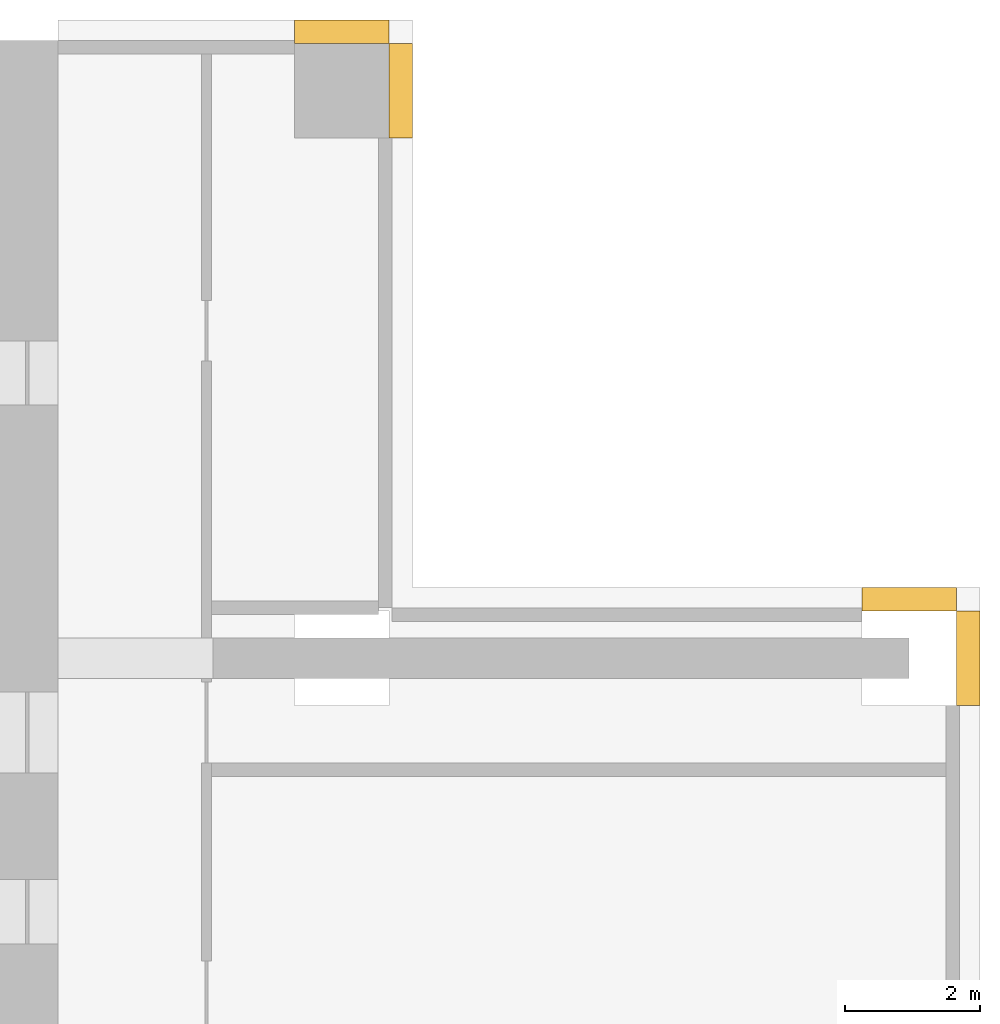
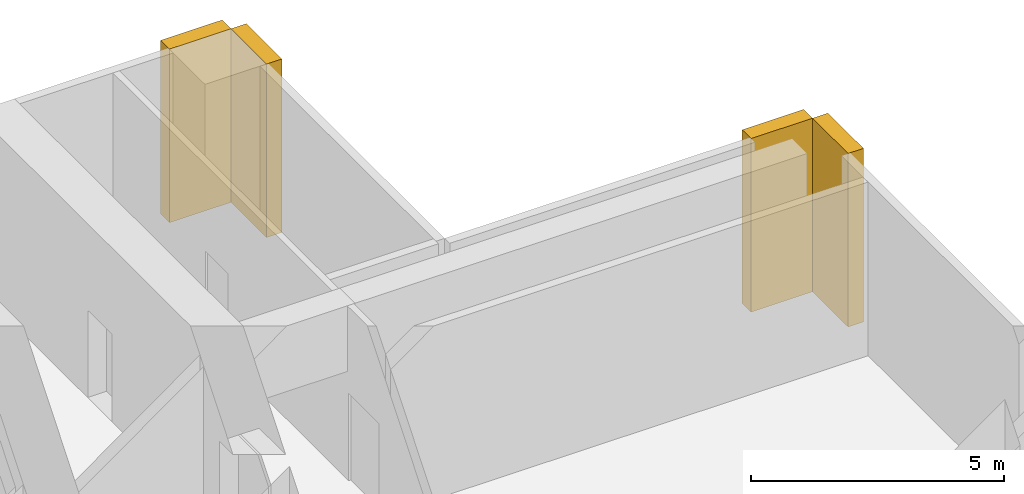
# One storey, part 11 of 11: 4 coverings.
"""IFC4 building model written with IfcOpenShell, lengths in metres."""

from ifc_helpers import new_model, si_unit, direction, frame, origin, place, context, subcontext, project, spatial, polyline, outline, extrude, material, type_object, element, save


model = new_model("IFC4")

# Units and contexts
model_context = context("Model", 3, precision=1e-05, world=origin(), true_north=direction((0.0, 1.0)))
body_context = subcontext(model_context, "Body", "Model", "MODEL_VIEW")
ifc_project = project(units=[si_unit("LENGTHUNIT", "METRE"), si_unit("AREAUNIT", "SQUARE_METRE"), si_unit("VOLUMEUNIT", "CUBIC_METRE"), si_unit("PLANEANGLEUNIT", "RADIAN"), si_unit("MASSUNIT", "GRAM", prefix="KILO")], contexts=[model_context])

# Site, building, storey
site_placement = place(None, origin())
site = spatial("IfcSite", under=ifc_project, at=site_placement, CompositionType="ELEMENT")
building_placement = place(site_placement, origin())
building = spatial("IfcBuilding", under=site, at=building_placement, Name="Vermilion Ogive Tower", CompositionType="ELEMENT")
storey_placement = place(building_placement, frame((0.0, 0.0, 75.89990234375)))
storey = spatial("IfcBuildingStorey", under=building, at=storey_placement, Name="L18", CompositionType="ELEMENT", Elevation=75.89990234375)

# Coverings
ifc_material = material(Name="Stone cladding", Category="masonry")
covering_type = type_object("IfcCoveringType", Name="Stone pier", PredefinedType="CLADDING", material=ifc_material)
covering_1_placement = place(storey_placement, origin())
element("IfcCovering", 1, at=covering_1_placement, inside=storey, type_object=covering_type, Name="Stone pier P+0168+210X4", PredefinedType="CLADDING", context=body_context, shape_type="SweptSolid", body=[
    extrude(outline(polyline([(17.85009765625, 21.699951171875), (17.85009765625, 20.300048828125), (17.5, 20.300048828125), (17.5, 21.699951171875), (17.85009765625, 21.699951171875)])), origin(), (0.0, 0.0, 1.0), 4.18017578125),
])
covering_2_placement = place(storey_placement, origin())
element("IfcCovering", 2, at=covering_2_placement, inside=storey, type_object=covering_type, Name="Stone pier P+0168+210N1", PredefinedType="CLADDING", context=body_context, shape_type="SweptSolid", body=[
    extrude(outline(polyline([(17.5, 22.050048828125), (17.5, 21.699951171875), (16.10009765625, 21.699951171875), (16.10009765625, 22.050048828125), (17.5, 22.050048828125)])), origin(), (0.0, 0.0, 1.0), 4.18017578125),
])
covering_3_placement = place(storey_placement, origin())
element("IfcCovering", 3, at=covering_3_placement, inside=storey, type_object=covering_type, Name="Stone pier P+0252+126E", PredefinedType="CLADDING", context=body_context, shape_type="SweptSolid", body=[
    extrude(outline(polyline([(26.25, 13.300048828125), (26.25, 11.89990234375), (25.89990234375, 11.89990234375), (25.89990234375, 13.300048828125), (26.25, 13.300048828125)])), origin(), (0.0, 0.0, 1.0), 4.18017578125),
])
covering_4_placement = place(storey_placement, origin())
element("IfcCovering", 4, at=covering_4_placement, inside=storey, type_object=covering_type, Name="Stone pier P+0252+126X3", PredefinedType="CLADDING", context=body_context, shape_type="SweptSolid", body=[
    extrude(outline(polyline([(25.89990234375, 13.64990234375), (25.89990234375, 13.300048828125), (24.5, 13.300048828125), (24.5, 13.64990234375), (25.89990234375, 13.64990234375)])), origin(), (0.0, 0.0, 1.0), 4.18017578125),
])

save(model, "model.ifc")
